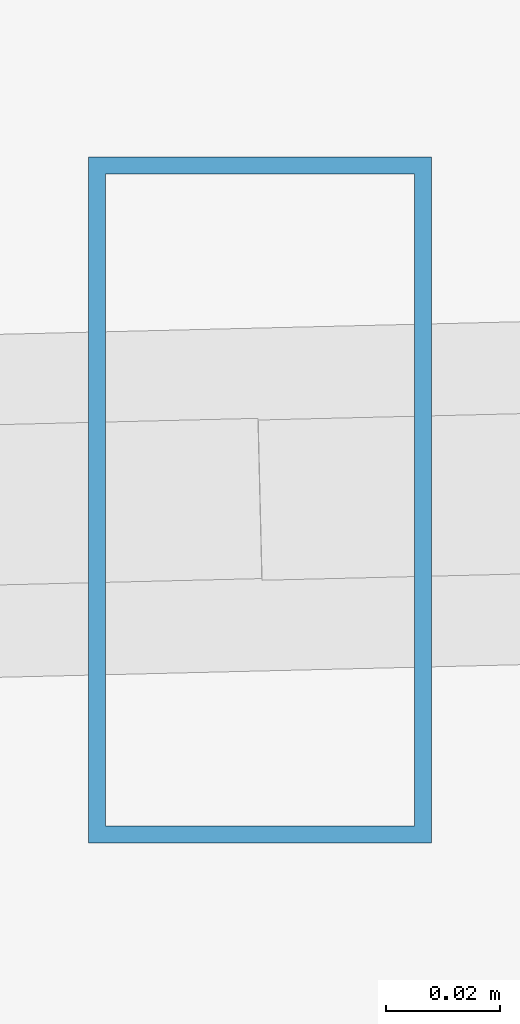
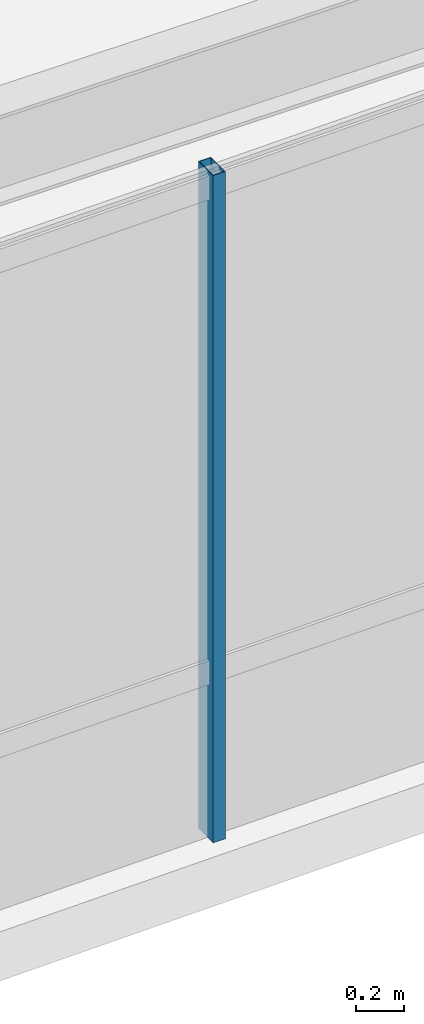
# One storey, part 21 of 48: 1 member, 1 element without a shape of its own.
"""IFC4 building model written with IfcOpenShell, lengths in metres."""

from ifc_helpers import new_model, si_unit, direction, frame, origin, origin_2d, place, context, subcontext, project, spatial, hollow_rectangle, extrude, source, transform, mapped, material, material_profile, profile_set, type_object, type_shapes, element, aggregate, save


model = new_model("IFC4")

# Units and contexts
model_context = context("Model", 3, precision=1e-05, world=origin(), true_north=direction((0.0, 1.0)))
body_context = subcontext(model_context, "Body", "Model", "MODEL_VIEW")
ifc_project = project(units=[si_unit("LENGTHUNIT", "METRE"), si_unit("AREAUNIT", "SQUARE_METRE"), si_unit("VOLUMEUNIT", "CUBIC_METRE"), si_unit("PLANEANGLEUNIT", "RADIAN"), si_unit("MASSUNIT", "GRAM", prefix="KILO")], contexts=[model_context])

# Site, building, storey
site_placement = place(None, origin())
site = spatial("IfcSite", under=ifc_project, at=site_placement, CompositionType="ELEMENT")
building_placement = place(site_placement, origin())
building = spatial("IfcBuilding", under=site, at=building_placement, Name="Caelisora Broadcast Tower", CompositionType="ELEMENT")
storey_placement = place(building_placement, frame((0.0, 0.0, 277.300048828125)))
storey = spatial("IfcBuildingStorey", under=building, at=storey_placement, Name="L73", CompositionType="ELEMENT", Elevation=277.300048828125)

# Curtain wall, member
ifc_material_1 = material(Name="Unitised Aluminium and Low-E Glass Curtain Wall", Category="glass")
curtain_wall_type = type_object("IfcCurtainWallType", Name="CW-Z5", PredefinedType="NOTDEFINED", material=ifc_material_1)
curtain_wall_placement = place(storey_placement, origin())
curtain_wall = element("IfcCurtainWall", 1, at=curtain_wall_placement, inside=storey, type_object=curtain_wall_type, Name="L73 curtain wall CW-Z5", PredefinedType="NOTDEFINED")
ifc_material_2 = material(Name="Aluminium 6063-T6 Anodised Terracotta Bronze", Category="aluminium")
ifc_material_profile = material_profile(ifc_material_2, hollow_rectangle(XDim=0.06005859375, YDim=0.1201171875, WallThickness=0.0029296875, at=origin_2d()), Name="Aluminium 6063-T6 Anodised Terracotta Bronze")
ifc_profile_set = profile_set([ifc_material_profile], Name="Aluminium 6063-T6 Anodised Terracotta Bronze")
member_type = type_object("IfcMemberType", Name="CWM-04", PredefinedType="MULLION", material=ifc_profile_set)
shared_shape = source(origin(), body_context, "Body", "SweptSolid", [
    extrude(hollow_rectangle(XDim=0.06005859375, YDim=0.1201171875, WallThickness=0.0029296875, at=origin_2d()), origin(), (0.0, 0.0, 1.0), 3.39990234375),
])
type_shapes(member_type, [shared_shape])
member_placement = place(storey_placement, frame((49.79931640625, 8.961181640625, 0.0), z_axis=(0.0, 0.0, 1.0), x_axis=(1.0, 0.0, 0.0)))
member = element("IfcMember", 2, at=member_placement, type_object=member_type, Name="L73-CW-B05 mullion #2", PredefinedType="MULLION", context=body_context, shape_type="MappedRepresentation", body=[
    mapped(shared_shape, transform((0.0, 0.0, 0.0), scale=1.0)),
])
aggregate(curtain_wall, [member])

save(model, "model.ifc")
